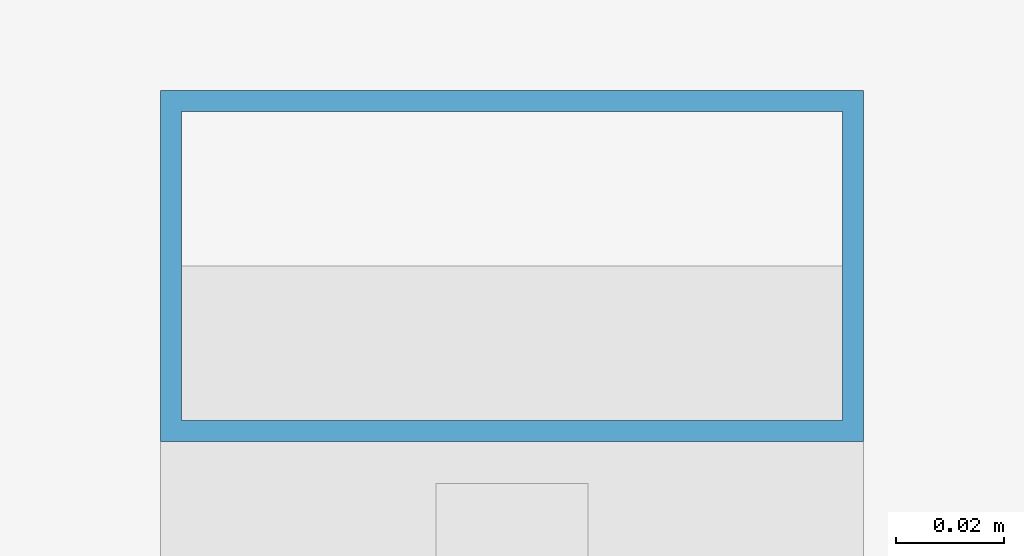
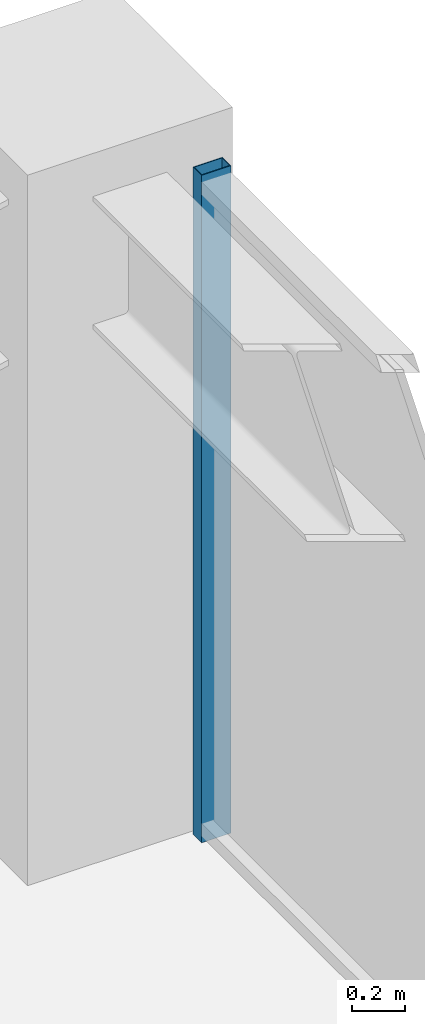
# One storey, part 21 of 31: 1 member, 1 element without a shape of its own.
"""IFC4 building model written with IfcOpenShell, lengths in metres."""

from ifc_helpers import new_model, si_unit, direction, frame, origin, origin_2d, place, context, subcontext, project, spatial, hollow_rectangle, extrude, material, material_profile, profile_set, type_object, element, aggregate, save


model = new_model("IFC4")

# Units and contexts
model_context = context("Model", 3, precision=1e-05, world=origin(), true_north=direction((0.0, 1.0)))
body_context = subcontext(model_context, "Body", "Model", "MODEL_VIEW")
ifc_project = project(units=[si_unit("LENGTHUNIT", "METRE"), si_unit("AREAUNIT", "SQUARE_METRE"), si_unit("VOLUMEUNIT", "CUBIC_METRE"), si_unit("PLANEANGLEUNIT", "RADIAN"), si_unit("MASSUNIT", "GRAM", prefix="KILO")], contexts=[model_context])

# Site, building, storey
site_placement = place(None, origin())
site = spatial("IfcSite", under=ifc_project, at=site_placement, CompositionType="ELEMENT")
building_placement = place(site_placement, origin())
building = spatial("IfcBuilding", under=site, at=building_placement, Name="Kolvaren Belvedere", CompositionType="ELEMENT")
storey_placement = place(building_placement, frame((0.0, 0.0, 138.199951171875)))
storey = spatial("IfcBuildingStorey", under=building, at=storey_placement, Name="L40", CompositionType="ELEMENT", Elevation=138.199951171875)

# Curtain wall, member
ifc_material_1 = material(Name="Anodised pale-metal aluminium AA 6063-T6", Category="aluminium")
curtain_wall_type = type_object("IfcCurtainWallType", Name="CW-Z3-WAIST", PredefinedType="NOTDEFINED", material=ifc_material_1)
curtain_wall_placement = place(storey_placement, origin())
curtain_wall = element("IfcCurtainWall", 1, at=curtain_wall_placement, inside=storey, type_object=curtain_wall_type, Name="L40 Unitised Curtain Wall FCW-L40-E-B1", PredefinedType="NOTDEFINED")
ifc_material_2 = material(Name="Anodised pale-metal aluminium AA 6063-T6", Category="aluminium")
ifc_material_profile = material_profile(ifc_material_2, hollow_rectangle(XDim=0.06494140625, YDim=0.1298828125, WallThickness=0.00390625, at=origin_2d()), Name="ALU-MUL-130X65")
ifc_profile_set = profile_set([ifc_material_profile], Name="Anodised pale-metal aluminium AA 6063-T6")
member_type = type_object("IfcMemberType", Name="CW-MUL-130", PredefinedType="MULLION", material=ifc_profile_set)
member_placement = place(storey_placement, frame((17.8798828125, 11.24755859375, 0.0), z_axis=(0.0, 0.0, 1.0), x_axis=(0.0, 1.0, 0.0)))
member = element("IfcMember", 2, at=member_placement, type_object=member_type, Name="FCW-L40-E-B1 Unitised Mullion 1", PredefinedType="MULLION", context=body_context, shape_type="SweptSolid", body=[
    extrude(hollow_rectangle(XDim=0.06494140625, YDim=0.1298828125, WallThickness=0.00390625, at=origin_2d()), origin(), (0.0, 0.0, 1.0), 3.10009765625),
])
aggregate(curtain_wall, [member])

save(model, "model.ifc")
